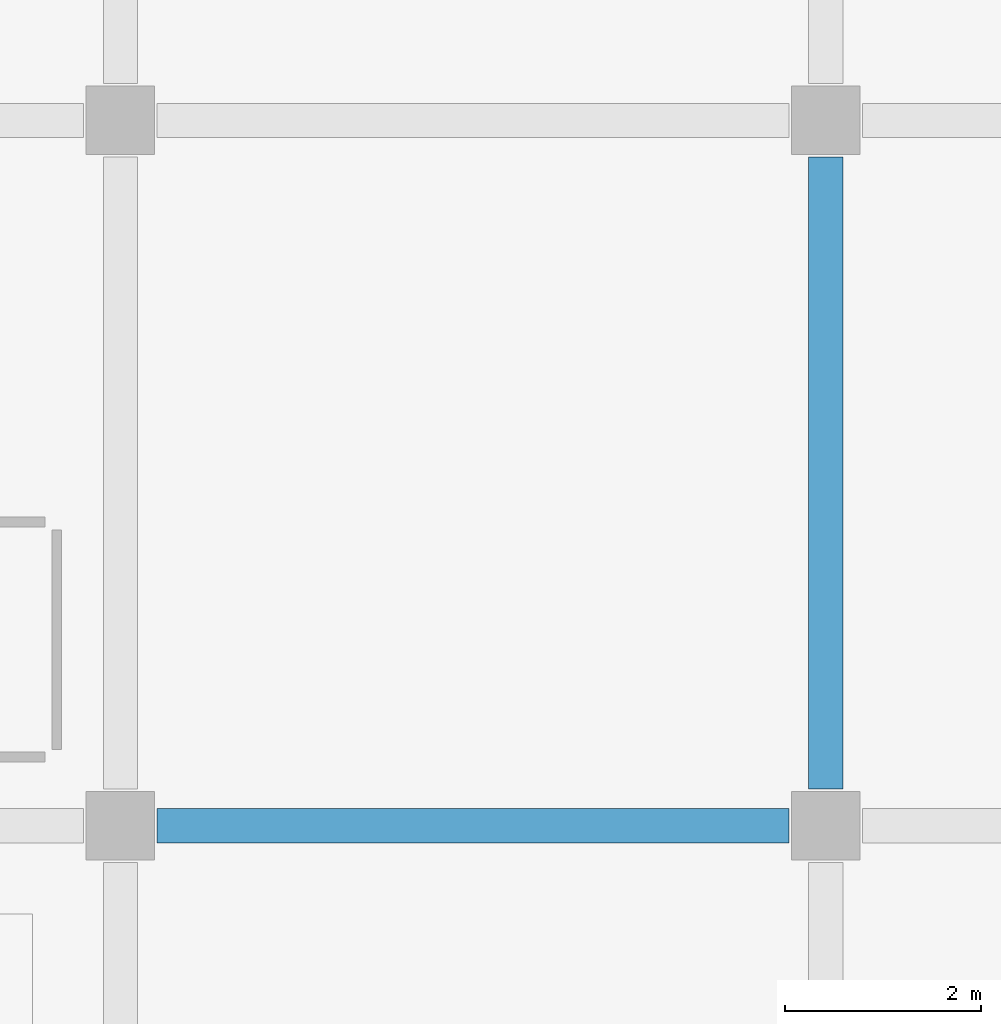
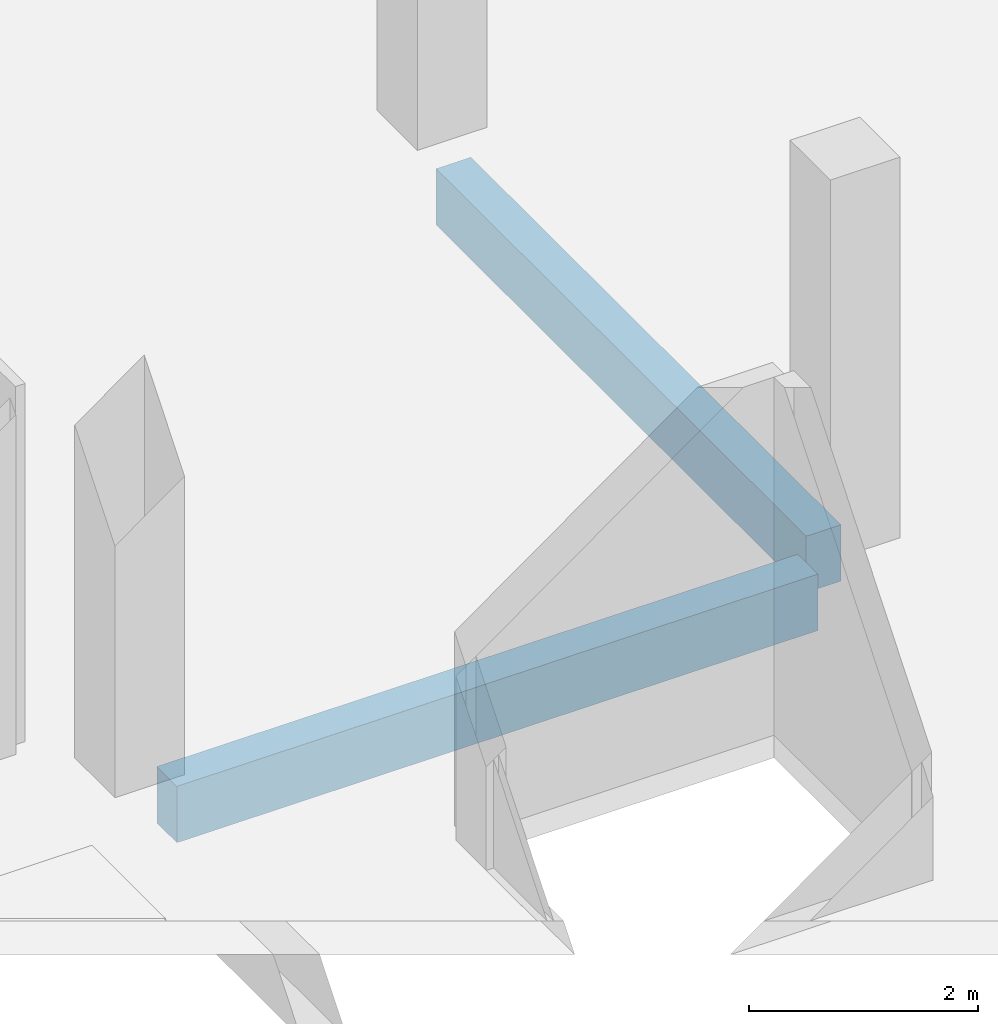
# One storey, part 44 of 91: 2 beams.
"""IFC4 building model written with IfcOpenShell, lengths in metres."""

from ifc_helpers import new_model, si_unit, direction, frame, origin, origin_2d, place, context, subcontext, project, spatial, rectangle, extrude, material, material_profile, profile_set, type_object, element, save


model = new_model("IFC4")

# Units and contexts
model_context = context("Model", 3, precision=1e-05, world=origin(), true_north=direction((0.0, 1.0)))
body_context = subcontext(model_context, "Body", "Model", "MODEL_VIEW")
ifc_project = project(units=[si_unit("LENGTHUNIT", "METRE"), si_unit("AREAUNIT", "SQUARE_METRE"), si_unit("VOLUMEUNIT", "CUBIC_METRE"), si_unit("PLANEANGLEUNIT", "RADIAN"), si_unit("MASSUNIT", "GRAM", prefix="KILO")], contexts=[model_context])

# Site, building, storey
site_placement = place(None, origin())
site = spatial("IfcSite", under=ifc_project, at=site_placement, CompositionType="ELEMENT")
building_placement = place(site_placement, origin())
building = spatial("IfcBuilding", under=site, at=building_placement, Name="Kangsadwip Square Police Headquarters", CompositionType="ELEMENT")
storey_placement = place(building_placement, frame((0.0, 0.0, 13.5)))
storey = spatial("IfcBuildingStorey", under=building, at=storey_placement, Name="L03", CompositionType="ELEMENT", Elevation=13.5)

# Beams
ifc_material = material(Name="Concrete M35 (35 MPa)", Category="concrete")
ifc_material_profile = material_profile(ifc_material, rectangle(XDim=0.35009765625, YDim=0.60009765625, at=origin_2d()), Name="RC BM 600X350")
ifc_profile_set = profile_set([ifc_material_profile], Name="Concrete M35 (35 MPa)")
beam_type = type_object("IfcBeamType", Name="RcBeam600x350", PredefinedType="BEAM", material=ifc_profile_set)
for number, where, z_axis, x_axis, name in (
    (1, (151.574951171875, 72.0, -0.5400390625), (1.0, 0.0, 0.0), (0.0, 1.0, 0.0), "Beam BM-L03-X-21-10"),
    (2, (158.39990234375, 72.375, -0.5400390625), (0.0, 1.0, 0.0), (-1.0, 0.0, 0.0), "Beam BM-L03-Y-22-10"),
):
    element("IfcBeam", number, at=place(storey_placement, frame(where, z_axis=z_axis, x_axis=x_axis)), inside=storey, type_object=beam_type, Name=name, PredefinedType="BEAM", context=body_context, shape_type="SweptSolid", body=[
        extrude(rectangle(XDim=0.35009765625, YDim=0.60009765625, at=origin_2d()), origin(), (0.0, 0.0, 1.0), 6.449951171875),
    ])

save(model, "model.ifc")
